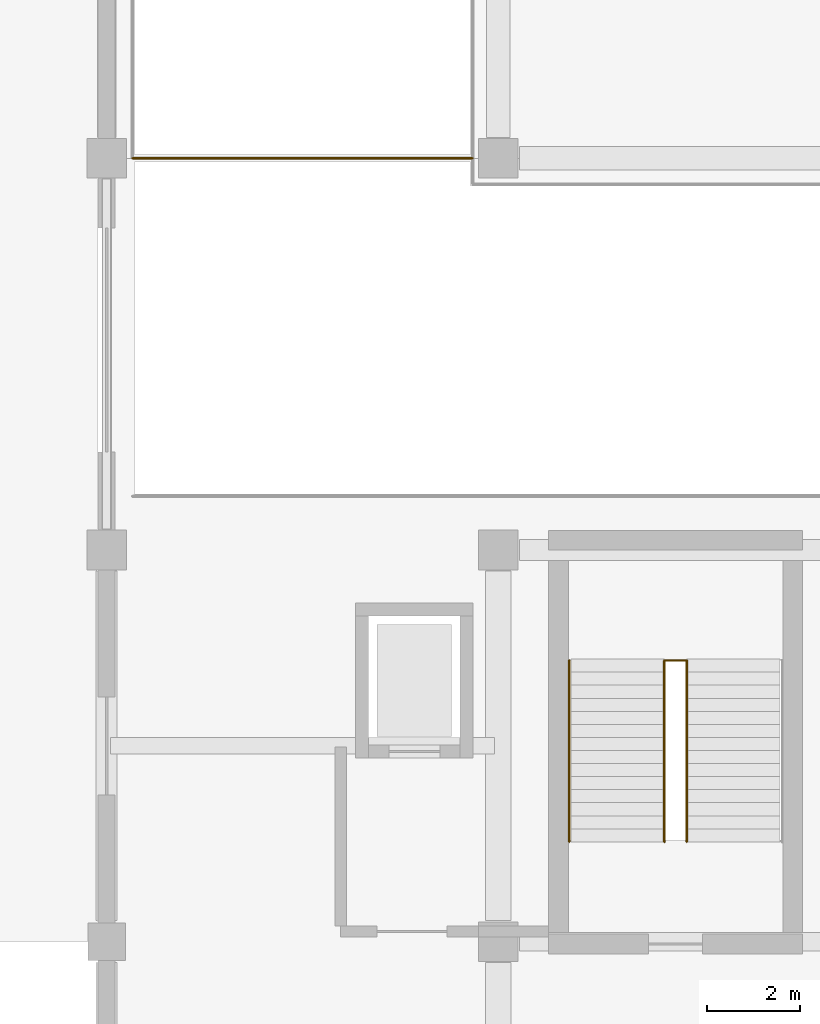
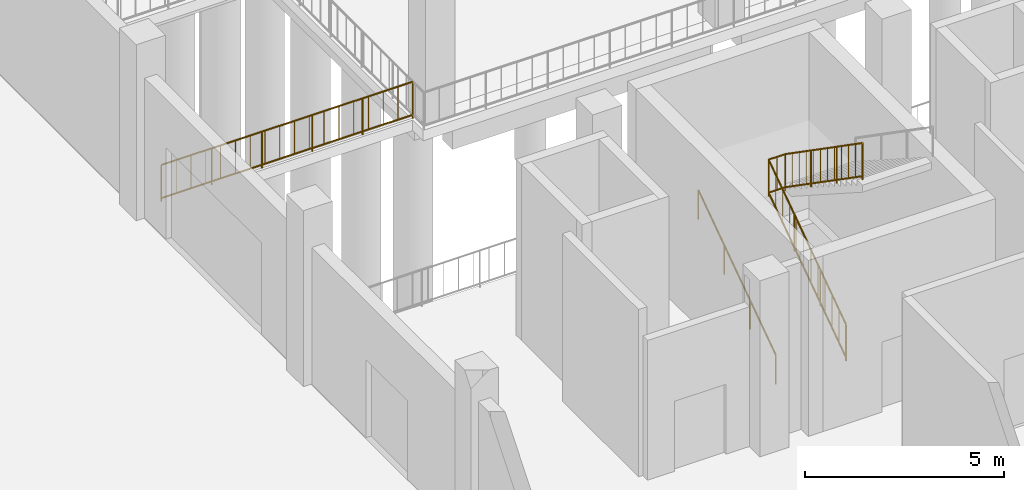
# One storey, part 76 of 82: 3 railings.
"""IFC4 building model written with IfcOpenShell, lengths in metres."""

import ifcopenshell
import ifcopenshell.guid

model = None  # the IFC model being written
_history = None  # IfcOwnerHistory: only IFC2X3 demands one
_inside = {}  # id of a spatial element -> (the spatial element, [elements in it])
_under = {}  # id of a project, library or spatial element -> (it, [spatial elements below it])
_declared = {}  # id of a project -> (the project, [libraries it declares])
_typed = {}  # id of a type object -> (the type object, [elements of that type])
_made_of = {}  # id of a material, layer set ... -> (it, [elements and type objects made of it])


def new_model(schema):
    """Start an empty IFC model of exactly this schema.

    Asked for "IFC4X3", IfcOpenShell would pick the latest addendum, in which some entities
    have other attributes; the version numbers below select the first issue.
    IFC2X3 requires an IfcOwnerHistory on every rooted entity: one is made here for all.
    """
    global model, _history
    if schema == "IFC4X3":
        model = ifcopenshell.file(schema_version=(4, 3, 0, 0))
    else:
        model = ifcopenshell.file(schema=schema)
    _inside.clear()
    _under.clear()
    _declared.clear()
    _typed.clear()
    _made_of.clear()
    _history = None
    if model.schema == "IFC2X3":
        org = make("IfcOrganization", Name="unknown")
        user = make(
            "IfcPersonAndOrganization",
            ThePerson=make("IfcPerson", FamilyName="unknown"),
            TheOrganization=org,
        )
        app = make(
            "IfcApplication",
            ApplicationDeveloper=org,
            Version="unknown",
            ApplicationFullName="unknown",
            ApplicationIdentifier="unknown",
        )
        _history = make(
            "IfcOwnerHistory",
            OwningUser=user,
            OwningApplication=app,
            ChangeAction="ADDED",
            CreationDate=0,
        )
    return model


def make(cls, **values):
    """One entity of the class cls with the attributes given. An attribute that is None is left unset."""
    return model.create_entity(
        cls, **{name: value for name, value in values.items() if value is not None}
    )


def rooted(cls, **values):
    """An entity with a GlobalId (a new one), such as an element, a storey or a relation."""
    return make(cls, GlobalId=ifcopenshell.guid.new(), OwnerHistory=_history, **values)


def si_unit(unit_type, name, prefix=None):
    """IfcSIUnit, for example si_unit("LENGTHUNIT", "METRE", prefix="MILLI")."""
    return make("IfcSIUnit", UnitType=unit_type, Prefix=prefix, Name=name)


def derived_unit(unit_type, elements):
    """IfcDerivedUnit: a product of units, each with its exponent."""
    return make(
        "IfcDerivedUnit",
        Elements=[
            make("IfcDerivedUnitElement", Unit=unit, Exponent=power)
            for unit, power in elements
        ],
        UnitType=unit_type,
    )


def assignment(units):
    """IfcUnitAssignment: the units of a project."""
    return None if units is None else make("IfcUnitAssignment", Units=units)


def point(xyz):
    """IfcCartesianPoint."""
    return None if xyz is None else make("IfcCartesianPoint", Coordinates=xyz)


def direction(xyz):
    """IfcDirection."""
    return None if xyz is None else make("IfcDirection", DirectionRatios=xyz)


def frame(location, z_axis=None, x_axis=None):
    """IfcAxis2Placement3D, a coordinate frame: its origin and axes. An axis left out is left unset."""
    return make(
        "IfcAxis2Placement3D",
        Location=point(location),
        Axis=direction(z_axis),
        RefDirection=direction(x_axis),
    )


def frame_2d(location, x_axis=None):
    """IfcAxis2Placement2D, a coordinate frame in the plane: its origin and x axis."""
    return make(
        "IfcAxis2Placement2D", Location=point(location), RefDirection=direction(x_axis)
    )


def origin():
    """The frame at (0, 0, 0) with its axes left unset."""
    return frame((0.0, 0.0, 0.0))


def origin_2d():
    """The frame at (0, 0) in the plane with its x axis left unset."""
    return frame_2d((0.0, 0.0))


def place(relative_to, where):
    """IfcLocalPlacement: puts the frame where relative to a parent placement (None: the world)."""
    return make(
        "IfcLocalPlacement", PlacementRelTo=relative_to, RelativePlacement=where
    )


def context(
    kind, dimensions, precision=None, world=None, true_north=None, identifier=None
):
    """IfcGeometricRepresentationContext, for example the 3D "Model" context."""
    return make(
        "IfcGeometricRepresentationContext",
        ContextIdentifier=identifier,
        ContextType=kind,
        CoordinateSpaceDimension=dimensions,
        Precision=precision,
        WorldCoordinateSystem=world,
        TrueNorth=true_north,
    )


def subcontext(parent, identifier, kind, view, scale=None):
    """IfcGeometricRepresentationSubContext, for example "Body" below "Model"."""
    return make(
        "IfcGeometricRepresentationSubContext",
        ContextIdentifier=identifier,
        ContextType=kind,
        ParentContext=parent,
        TargetScale=scale,
        TargetView=view,
    )


def project(units=None, contexts=None):
    """IfcProject with its units and contexts."""
    return rooted(
        "IfcProject",
        Name="project",
        RepresentationContexts=contexts,
        UnitsInContext=assignment(units),
    )


def spatial(cls, under=None, at=None, **own):
    """A site, building, storey or space (cls), placed at a placement, below another one or the project."""
    s = rooted(cls, ObjectPlacement=at, **own)
    if under is not None:
        _under.setdefault(under.id(), (under, []))[1].append(s)
    return s


def profile(cls, at=None, kind="AREA", **sizes):
    """A parametric profile (cls). Its sizes go by their IFC names, for example OverallWidth=200.0."""
    return make(cls, ProfileType=kind, Position=at, **sizes)


def circle(**sizes):
    """IfcCircleProfileDef."""
    return profile("IfcCircleProfileDef", **sizes)


def extrude(swept, where, along, depth):
    """IfcExtrudedAreaSolid: the profile swept, set in the frame where, extruded along a direction by depth."""
    return make(
        "IfcExtrudedAreaSolid",
        SweptArea=swept,
        Position=where,
        ExtrudedDirection=direction(along),
        Depth=depth,
    )


def shape(context_of_items, identifier, shape_type, items):
    """IfcShapeRepresentation: the items that make up one representation, for example the "Body"."""
    return make(
        "IfcShapeRepresentation",
        ContextOfItems=context_of_items,
        RepresentationIdentifier=identifier,
        RepresentationType=shape_type,
        Items=items,
    )


def material(Name=None, Category=None):
    """IfcMaterial."""
    return make("IfcMaterial", Name=Name, Category=Category)


def layer(
    of_material, thickness, ventilated=None, Name=None, Category=None, Priority=None
):
    """IfcMaterialLayer: one layer of a wall or slab, of a material (None: an air gap)."""
    return make(
        "IfcMaterialLayer",
        Material=of_material,
        LayerThickness=thickness,
        IsVentilated=ventilated,
        Name=Name,
        Category=Category,
        Priority=Priority,
    )


def layer_set(layers, Name=None):
    """IfcMaterialLayerSet."""
    return make("IfcMaterialLayerSet", MaterialLayers=layers, LayerSetName=Name)


def made_of(thing, what):
    """Note that an element or type object is made of a material, layer set ...; save() writes the relation."""
    if what is not None:
        _made_of.setdefault(what.id(), (what, []))[1].append(thing)
    return thing


def type_object(cls, material=None, **own):
    """A type object (cls), such as IfcWallType, which elements share."""
    return made_of(rooted(cls, **own), material)


def element(
    cls,
    number,
    at=None,
    inside=None,
    cuts=None,
    type_object=None,
    material=None,
    context=None,
    identifier="Body",
    shape_type=None,
    held_by="IfcProductDefinitionShape",
    body=None,
    shapes=None,
    **own,
):
    """One element of the class cls, such as IfcWall. Its Tag is "e" and its number.

    at: its placement. inside: the storey or other place that contains it. cuts: it is an
    opening in that element (IfcRelVoidsElement). A single representation is given by context,
    identifier, shape_type and body (its items); several are given by shapes. held_by: the class
    of the entity that holds the representations. save() writes the other relations.
    """
    e = rooted(cls, Tag="e%d" % number, ObjectPlacement=at, **own)
    if body is not None:
        shapes = [shape(context, identifier, shape_type, body)]
    if shapes is not None:
        e.Representation = make(held_by, Representations=shapes)
    if inside is not None:
        _inside.setdefault(inside.id(), (inside, []))[1].append(e)
    if cuts is not None:
        rooted(
            "IfcRelVoidsElement", RelatingBuildingElement=cuts, RelatedOpeningElement=e
        )
    if type_object is not None:
        _typed.setdefault(type_object.id(), (type_object, []))[1].append(e)
    return made_of(e, material)


def aggregate(whole, parts):
    """IfcRelAggregates: a whole, such as a stair, and the parts it consists of."""
    return rooted("IfcRelAggregates", RelatingObject=whole, RelatedObjects=parts)


def save(model, path):
    """Write the relations noted so far, then the file.

    IfcRelAggregates (storeys below a building ...), IfcRelContainedInSpatialStructure (elements
    in a storey), IfcRelDefinesByType, IfcRelAssociatesMaterial and IfcRelDeclares: one each for
    every whole, place, type object, material and project.
    """
    for whole, parts in _under.values():
        aggregate(whole, parts)
    for where, things in _inside.values():
        rooted(
            "IfcRelContainedInSpatialStructure",
            RelatedElements=things,
            RelatingStructure=where,
        )
    for kind, things in _typed.values():
        rooted("IfcRelDefinesByType", RelatedObjects=things, RelatingType=kind)
    for what, things in _made_of.values():
        rooted("IfcRelAssociatesMaterial", RelatedObjects=things, RelatingMaterial=what)
    for by, libraries in _declared.values():
        rooted("IfcRelDeclares", RelatingContext=by, RelatedDefinitions=libraries)
    model.write(path)


model = new_model("IFC4")

# Units and contexts
model_context = context("Model", 3, precision=1e-05, world=origin(), true_north=direction((0.0, 1.0)))
body_context = subcontext(model_context, "Body", "Model", "MODEL_VIEW")
ifc_project = project(units=[si_unit("LENGTHUNIT", "METRE"), si_unit("AREAUNIT", "SQUARE_METRE"), si_unit("VOLUMEUNIT", "CUBIC_METRE"), si_unit("PLANEANGLEUNIT", "RADIAN"), si_unit("MASSUNIT", "GRAM", prefix="KILO"), derived_unit("THERMALTRANSMITTANCEUNIT", [(si_unit("POWERUNIT", "WATT"), 1), (si_unit("LENGTHUNIT", "METRE"), -2), (si_unit("THERMODYNAMICTEMPERATUREUNIT", "KELVIN"), -1)])], contexts=[model_context])

# Site, building, storey
site_placement = place(None, origin())
site = spatial("IfcSite", under=ifc_project, at=site_placement, CompositionType="ELEMENT")
building_placement = place(site_placement, origin())
building = spatial("IfcBuilding", under=site, at=building_placement, Name="Barrovel Congress Hotel", CompositionType="ELEMENT")
storey_placement = place(building_placement, origin())
storey = spatial("IfcBuildingStorey", under=building, at=storey_placement, Name="L00", CompositionType="ELEMENT", Elevation=0.0)

# Railings
ifc_material_1 = material(Name="Painted Architectural Steel", Category="steel")
ifc_layer_1 = layer(ifc_material_1, 0.070068359375)
ifc_layer_set_1 = layer_set([ifc_layer_1], Name="Painted Architectural Steel")
railing_type_1 = type_object("IfcRailingType", Name="RAIL-GUARD-INT", PredefinedType="BALUSTRADE", material=ifc_layer_set_1)
railing_1_placement = place(storey_placement, frame((28.760009765625, 14.739990234375, 0.0)))
element("IfcRailing", 1, at=railing_1_placement, inside=storey, type_object=railing_type_1, Name="STAIR:XS-01:L00:GR-W", PredefinedType="BALUSTRADE", context=body_context, shape_type="SweptSolid", body=[
    extrude(circle(Radius=0.02392578125, at=origin_2d()), frame((0.0, 0.0, 1.11572265625), z_axis=(0.0, 0.821504814544, 0.570201578111), x_axis=(-1.0, 0.0, 0.0)), (0.0, 0.0, 1.0), 4.735107421875),
    extrude(circle(Radius=0.02392578125, at=origin_2d()), frame((0.0, 0.0, 0.10009765625), z_axis=(0.0, 0.821504814544, 0.570201578111), x_axis=(-1.0, 0.0, 0.0)), (0.0, 0.0, 1.0), 4.735107421875),
    extrude(circle(Radius=0.010009765625, at=origin_2d()), frame((0.0, 0.353515625, 0.345458984375)), (0.0, 0.0, 1.0), 0.99169921875),
    extrude(circle(Radius=0.010009765625, at=origin_2d()), frame((0.0, 0.707275390625, 0.5908203125)), (0.0, 0.0, 1.0), 0.99169921875),
    extrude(circle(Radius=0.010009765625, at=origin_2d()), frame((0.0, 1.060791015625, 0.83642578125)), (0.0, 0.0, 1.0), 0.99169921875),
    extrude(circle(Radius=0.010009765625, at=origin_2d()), frame((0.0, 1.41455078125, 1.081787109375)), (0.0, 0.0, 1.0), 0.99169921875),
    extrude(circle(Radius=0.010009765625, at=origin_2d()), frame((0.0, 1.76806640625, 1.3271484375)), (0.0, 0.0, 1.0), 0.99169921875),
    extrude(circle(Radius=0.010009765625, at=origin_2d()), frame((0.0, 2.121826171875, 1.57275390625)), (0.0, 0.0, 1.0), 0.99169921875),
    extrude(circle(Radius=0.010009765625, at=origin_2d()), frame((0.0, 2.475341796875, 1.818115234375)), (0.0, 0.0, 1.0), 0.99169921875),
    extrude(circle(Radius=0.010009765625, at=origin_2d()), frame((0.0, 2.8291015625, 2.063720703125)), (0.0, 0.0, 1.0), 0.99169921875),
    extrude(circle(Radius=0.010009765625, at=origin_2d()), frame((0.0, 3.1826171875, 2.30908203125)), (0.0, 0.0, 1.0), 0.99169921875),
    extrude(circle(Radius=0.010009765625, at=origin_2d()), frame((0.0, 3.536376953125, 2.554443359375)), (0.0, 0.0, 1.0), 0.99169921875),
    extrude(circle(Radius=0.02392578125, at=origin_2d()), frame((0.0, 3.889892578125, 3.81591796875), z_axis=(1.0, 0.0, 0.0), x_axis=(0.0, 1.0, 0.0)), (0.0, 0.0, 1.0), 0.47998046875),
    extrude(circle(Radius=0.02392578125, at=origin_2d()), frame((0.0, 3.889892578125, 2.800048828125), z_axis=(1.0, 0.0, 0.0), x_axis=(0.0, 1.0, 0.0)), (0.0, 0.0, 1.0), 0.47998046875),
    extrude(circle(Radius=0.010009765625, at=origin_2d()), frame((0.239990234375, 3.889892578125, 2.800048828125)), (0.0, 0.0, 1.0), 0.99169921875),
    extrude(circle(Radius=0.02392578125, at=origin_2d()), frame((0.47998046875, 3.889892578125, 3.81591796875), z_axis=(0.0, -0.821504814544, 0.570201578111), x_axis=(1.0, 0.0, 0.0)), (0.0, 0.0, 1.0), 4.735107421875),
    extrude(circle(Radius=0.02392578125, at=origin_2d()), frame((0.47998046875, 3.889892578125, 2.800048828125), z_axis=(0.0, -0.821504814544, 0.570201578111), x_axis=(1.0, 0.0, 0.0)), (0.0, 0.0, 1.0), 4.735107421875),
    extrude(circle(Radius=0.010009765625, at=origin_2d()), frame((0.47998046875, 3.536376953125, 3.04541015625)), (0.0, 0.0, 1.0), 0.99169921875),
    extrude(circle(Radius=0.010009765625, at=origin_2d()), frame((0.47998046875, 3.1826171875, 3.290771484375)), (0.0, 0.0, 1.0), 0.99169921875),
    extrude(circle(Radius=0.010009765625, at=origin_2d()), frame((0.47998046875, 2.8291015625, 3.536376953125)), (0.0, 0.0, 1.0), 0.99169921875),
    extrude(circle(Radius=0.010009765625, at=origin_2d()), frame((0.47998046875, 2.475341796875, 3.78173828125)), (0.0, 0.0, 1.0), 0.99169921875),
    extrude(circle(Radius=0.010009765625, at=origin_2d()), frame((0.47998046875, 2.121826171875, 4.027099609375)), (0.0, 0.0, 1.0), 0.99169921875),
    extrude(circle(Radius=0.010009765625, at=origin_2d()), frame((0.47998046875, 1.76806640625, 4.272705078125)), (0.0, 0.0, 1.0), 0.99169921875),
    extrude(circle(Radius=0.010009765625, at=origin_2d()), frame((0.47998046875, 1.41455078125, 4.51806640625)), (0.0, 0.0, 1.0), 0.99169921875),
    extrude(circle(Radius=0.010009765625, at=origin_2d()), frame((0.47998046875, 1.060791015625, 4.763671875)), (0.0, 0.0, 1.0), 0.99169921875),
    extrude(circle(Radius=0.010009765625, at=origin_2d()), frame((0.47998046875, 0.707275390625, 5.009033203125)), (0.0, 0.0, 1.0), 0.99169921875),
    extrude(circle(Radius=0.010009765625, at=origin_2d()), frame((0.47998046875, 0.353515625, 5.25439453125)), (0.0, 0.0, 1.0), 0.99169921875),
    extrude(circle(Radius=0.02099609375, at=origin_2d()), origin(), (0.0, 0.0, 1.0), 1.091796875),
    extrude(circle(Radius=0.02099609375, at=origin_2d()), frame((0.0, 1.296630859375, 0.89990234375)), (0.0, 0.0, 1.0), 1.091796875),
    extrude(circle(Radius=0.02099609375, at=origin_2d()), frame((0.0, 2.59326171875, 1.800048828125)), (0.0, 0.0, 1.0), 1.091796875),
    extrude(circle(Radius=0.02099609375, at=origin_2d()), frame((0.0, 3.889892578125, 2.699951171875)), (0.0, 0.0, 1.0), 1.091796875),
    extrude(circle(Radius=0.02099609375, at=origin_2d()), frame((0.47998046875, 3.889892578125, 2.699951171875)), (0.0, 0.0, 1.0), 1.091796875),
    extrude(circle(Radius=0.02099609375, at=origin_2d()), frame((0.47998046875, 2.59326171875, 3.599853515625)), (0.0, 0.0, 1.0), 1.091796875),
    extrude(circle(Radius=0.02099609375, at=origin_2d()), frame((0.47998046875, 1.296630859375, 4.5)), (0.0, 0.0, 1.0), 1.091796875),
    extrude(circle(Radius=0.02099609375, at=origin_2d()), frame((0.47998046875, 0.0, 5.39990234375)), (0.0, 0.0, 1.0), 1.091796875),
])
railing_2_placement = place(storey_placement, frame((17.35009765625, 29.39990234375, 0.0)))
element("IfcRailing", 2, at=railing_2_placement, inside=storey, type_object=railing_type_1, Name="RAIL:L00:RMP-MID", PredefinedType="BALUSTRADE", context=body_context, shape_type="SweptSolid", body=[
    extrude(circle(Radius=0.02392578125, at=origin_2d()), frame((0.0, 0.0, 1.11572265625), z_axis=(1.0, 0.0, 0.0), x_axis=(0.0, 1.0, 0.0)), (0.0, 0.0, 1.0), 7.2998046875),
    extrude(circle(Radius=0.02392578125, at=origin_2d()), frame((0.0, 0.0, 0.10009765625), z_axis=(1.0, 0.0, 0.0), x_axis=(0.0, 1.0, 0.0)), (0.0, 0.0, 1.0), 7.2998046875),
    extrude(circle(Radius=0.010009765625, at=origin_2d()), frame((0.429443359375, 0.0, 0.10009765625)), (0.0, 0.0, 1.0), 0.99169921875),
    extrude(circle(Radius=0.010009765625, at=origin_2d()), frame((0.85888671875, 0.0, 0.10009765625)), (0.0, 0.0, 1.0), 0.99169921875),
    extrude(circle(Radius=0.010009765625, at=origin_2d()), frame((1.2880859375, 0.0, 0.10009765625)), (0.0, 0.0, 1.0), 0.99169921875),
    extrude(circle(Radius=0.010009765625, at=origin_2d()), frame((1.717529296875, 0.0, 0.10009765625)), (0.0, 0.0, 1.0), 0.99169921875),
    extrude(circle(Radius=0.010009765625, at=origin_2d()), frame((2.14697265625, 0.0, 0.10009765625)), (0.0, 0.0, 1.0), 0.99169921875),
    extrude(circle(Radius=0.010009765625, at=origin_2d()), frame((2.576416015625, 0.0, 0.10009765625)), (0.0, 0.0, 1.0), 0.99169921875),
    extrude(circle(Radius=0.010009765625, at=origin_2d()), frame((3.005859375, 0.0, 0.10009765625)), (0.0, 0.0, 1.0), 0.99169921875),
    extrude(circle(Radius=0.010009765625, at=origin_2d()), frame((3.435302734375, 0.0, 0.10009765625)), (0.0, 0.0, 1.0), 0.99169921875),
    extrude(circle(Radius=0.010009765625, at=origin_2d()), frame((3.864501953125, 0.0, 0.10009765625)), (0.0, 0.0, 1.0), 0.99169921875),
    extrude(circle(Radius=0.010009765625, at=origin_2d()), frame((4.2939453125, 0.0, 0.10009765625)), (0.0, 0.0, 1.0), 0.99169921875),
    extrude(circle(Radius=0.010009765625, at=origin_2d()), frame((4.723388671875, 0.0, 0.10009765625)), (0.0, 0.0, 1.0), 0.99169921875),
    extrude(circle(Radius=0.010009765625, at=origin_2d()), frame((5.15283203125, 0.0, 0.10009765625)), (0.0, 0.0, 1.0), 0.99169921875),
    extrude(circle(Radius=0.010009765625, at=origin_2d()), frame((5.582275390625, 0.0, 0.10009765625)), (0.0, 0.0, 1.0), 0.99169921875),
    extrude(circle(Radius=0.010009765625, at=origin_2d()), frame((6.01171875, 0.0, 0.10009765625)), (0.0, 0.0, 1.0), 0.99169921875),
    extrude(circle(Radius=0.010009765625, at=origin_2d()), frame((6.44091796875, 0.0, 0.10009765625)), (0.0, 0.0, 1.0), 0.99169921875),
    extrude(circle(Radius=0.010009765625, at=origin_2d()), frame((6.870361328125, 0.0, 0.10009765625)), (0.0, 0.0, 1.0), 0.99169921875),
    extrude(circle(Radius=0.02099609375, at=origin_2d()), origin(), (0.0, 0.0, 1.0), 1.091796875),
    extrude(circle(Radius=0.02099609375, at=origin_2d()), frame((1.4599609375, 0.0, 0.0)), (0.0, 0.0, 1.0), 1.091796875),
    extrude(circle(Radius=0.02099609375, at=origin_2d()), frame((2.919921875, 0.0, 0.0)), (0.0, 0.0, 1.0), 1.091796875),
    extrude(circle(Radius=0.02099609375, at=origin_2d()), frame((4.3798828125, 0.0, 0.0)), (0.0, 0.0, 1.0), 1.091796875),
    extrude(circle(Radius=0.02099609375, at=origin_2d()), frame((5.83984375, 0.0, 0.0)), (0.0, 0.0, 1.0), 1.091796875),
    extrude(circle(Radius=0.02099609375, at=origin_2d()), frame((7.2998046875, 0.0, 0.0)), (0.0, 0.0, 1.0), 1.091796875),
])
ifc_material_2 = material(Name="Brushed Stainless Steel", Category="steel")
ifc_layer_2 = layer(ifc_material_2, 0.050048828125)
ifc_layer_set_2 = layer_set([ifc_layer_2], Name="Brushed Stainless Steel")
railing_type_2 = type_object("IfcRailingType", Name="RAIL-HAND", PredefinedType="HANDRAIL", material=ifc_layer_set_2)
railing_3_placement = place(storey_placement, frame((26.719970703125, 14.739990234375, 0.0)))
element("IfcRailing", 3, at=railing_3_placement, inside=storey, type_object=railing_type_2, Name="STAIR:XS-01:L00:HR-1", PredefinedType="HANDRAIL", context=body_context, shape_type="SweptSolid", body=[
    extrude(circle(Radius=0.02392578125, at=origin_2d()), frame((0.0, 0.0, 0.89599609375), z_axis=(0.0, 0.821504814544, 0.570201578111), x_axis=(-1.0, 0.0, 0.0)), (0.0, 0.0, 1.0), 4.735107421875),
    extrude(circle(Radius=0.02099609375, at=origin_2d()), origin(), (0.0, 0.0, 1.0), 0.871826171875),
    extrude(circle(Radius=0.02099609375, at=origin_2d()), frame((0.0, 1.296630859375, 0.89990234375)), (0.0, 0.0, 1.0), 0.871826171875),
    extrude(circle(Radius=0.02099609375, at=origin_2d()), frame((0.0, 2.59326171875, 1.800048828125)), (0.0, 0.0, 1.0), 0.871826171875),
    extrude(circle(Radius=0.02099609375, at=origin_2d()), frame((0.0, 3.889892578125, 2.699951171875)), (0.0, 0.0, 1.0), 0.871826171875),
])

save(model, "model.ifc")
